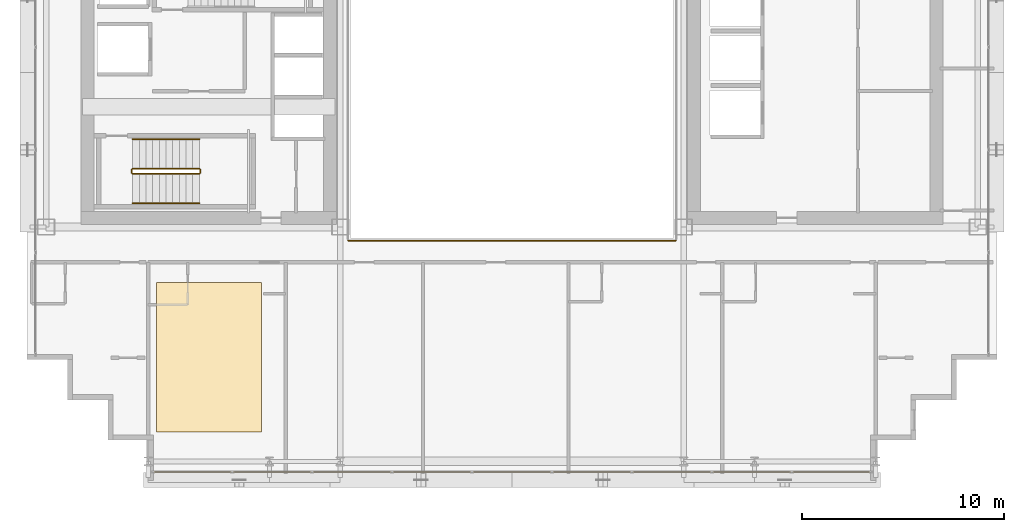
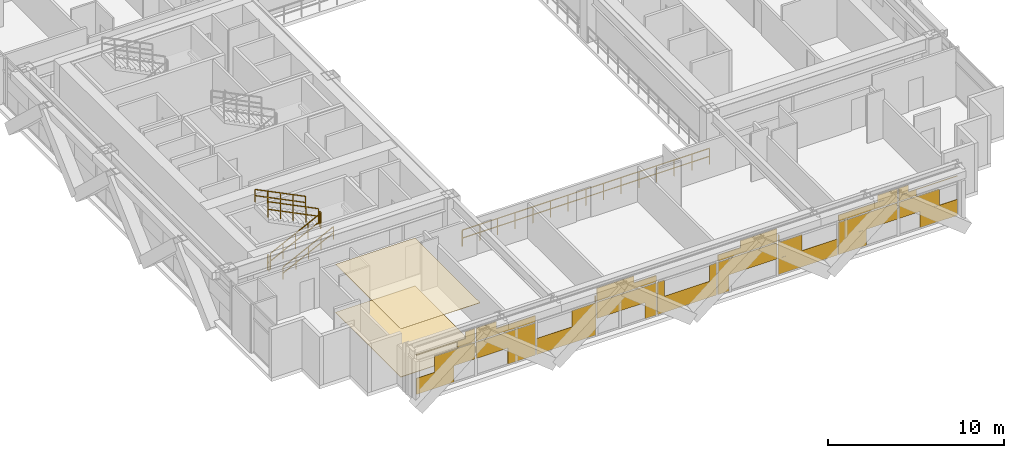
# One storey, part 32 of 35: 7 railings, 3 coverings.
"""IFC4 building model written with IfcOpenShell, lengths in metres."""

from ifc_helpers import new_model, si_unit, direction, frame, origin, origin_2d, place, context, subcontext, project, spatial, polyline, rectangle, outline, extrude, material, layer, layer_set, type_object, element, save


model = new_model("IFC4")

# Units and contexts
model_context = context("Model", 3, precision=1e-05, world=origin(), true_north=direction((0.0, 1.0)))
body_context = subcontext(model_context, "Body", "Model", "MODEL_VIEW")
ifc_project = project(units=[si_unit("LENGTHUNIT", "METRE"), si_unit("AREAUNIT", "SQUARE_METRE"), si_unit("VOLUMEUNIT", "CUBIC_METRE"), si_unit("PLANEANGLEUNIT", "RADIAN"), si_unit("MASSUNIT", "GRAM", prefix="KILO")], contexts=[model_context])

# Site, building, storey
site_placement = place(None, origin())
site = spatial("IfcSite", under=ifc_project, at=site_placement, CompositionType="ELEMENT")
building_placement = place(site_placement, origin())
building = spatial("IfcBuilding", under=site, at=building_placement, Name="Ocotamira Hotel", CompositionType="ELEMENT")
storey_placement = place(building_placement, frame((0.0, 0.0, 140.39990234375)))
storey = spatial("IfcBuildingStorey", under=building, at=storey_placement, Name="L35", CompositionType="ELEMENT", Elevation=140.39990234375)

# Coverings
ifc_material_1 = material(Name="Perforated acoustic gypsum ceiling board", Category="gypsum")
ifc_layer_1 = layer(ifc_material_1, 0.02490234375)
ifc_layer_set_1 = layer_set([ifc_layer_1], Name="Perforated acoustic gypsum ceiling board")
covering_type_1 = type_object("IfcCoveringType", Name="COV-CEIL-25", PredefinedType="CEILING", material=ifc_layer_set_1)
covering_1_placement = place(storey_placement, frame((0.0, 0.0, 3.335205078125)))
element("IfcCovering", 1, at=covering_1_placement, inside=storey, type_object=covering_type_1, Name="L35 Acoustic Ceiling", PredefinedType="CEILING", context=body_context, shape_type="SweptSolid", body=[
    extrude(outline(polyline([(14.39990234375, 4.39990234375), (19.60009765625, 4.39990234375), (19.60009765625, 11.800048828125), (14.39990234375, 11.800048828125), (14.39990234375, 4.39990234375)])), origin(), (0.0, 0.0, 1.0), 0.02490234375),
])
ifc_material_2 = material(Name="Honed desert travertine stone flooring", Category="masonry")
ifc_layer_2 = layer(ifc_material_2, 0.030029296875)
ifc_layer_set_2 = layer_set([ifc_layer_2], Name="Honed desert travertine stone flooring")
covering_type_2 = type_object("IfcCoveringType", Name="COV-FLOR-30", PredefinedType="FLOORING", material=ifc_layer_set_2)
covering_2_placement = place(storey_placement, origin())
element("IfcCovering", 2, at=covering_2_placement, inside=storey, type_object=covering_type_2, Name="L35 Honed Stone Floor Finish", PredefinedType="FLOORING", context=body_context, shape_type="SweptSolid", body=[
    extrude(outline(polyline([(14.39990234375, 4.39990234375), (19.60009765625, 4.39990234375), (19.60009765625, 11.800048828125), (14.39990234375, 11.800048828125), (14.39990234375, 4.39990234375)])), origin(), (0.0, 0.0, 1.0), 0.030029296875),
])
ifc_material_3 = material(Name="Insulated pale-metal aluminium spandrel panel", Category="aluminium")
ifc_layer_3 = layer(ifc_material_3, 0.044921875)
ifc_layer_set_3 = layer_set([ifc_layer_3], Name="Insulated pale-metal aluminium spandrel panel")
covering_type_3 = type_object("IfcCoveringType", Name="COV-INFILL-45", PredefinedType="CLADDING", material=ifc_layer_set_3)
covering_3_placement = place(storey_placement, origin())
element("IfcCovering", 3, at=covering_3_placement, inside=storey, type_object=covering_type_3, Name="L35 Curtain Wall Infill CW-3 CW-L35-S1", PredefinedType="CLADDING", context=body_context, shape_type="SweptSolid", body=[
    extrude(rectangle(XDim=2.464111328125, YDim=0.044921875, at=origin_2d()), frame((15.512451171875, 2.419921875, 0.07568359375), z_axis=(0.0, 0.0, 1.0), x_axis=(1.0, 0.0, 0.0)), (0.0, 0.0, 1.0), 1.117919921875),
    extrude(rectangle(XDim=2.650146484375, YDim=0.044921875, at=origin_2d()), frame((16.7900390625, 2.419921875, 1.1943359375), z_axis=(0.0, 0.0, 1.0), x_axis=(1.0, 0.0, 0.0)), (0.0, 0.0, 1.0), 1.117919921875),
    extrude(rectangle(XDim=3.834716796875, YDim=0.044921875, at=origin_2d()), frame((16.19775390625, 2.419921875, 2.78271484375), z_axis=(0.0, 0.0, 1.0), x_axis=(1.0, 0.0, 0.0)), (0.0, 0.0, 1.0), 0.0302734375),
    extrude(rectangle(XDim=1.157958984375, YDim=0.044921875, at=origin_2d()), frame((17.5361328125, 2.419921875, 2.38818359375), z_axis=(0.0, 0.0, 1.0), x_axis=(1.0, 0.0, 0.0)), (0.0, 0.0, 1.0), 0.3935546875),
    extrude(rectangle(XDim=0.625732421875, YDim=0.044921875, at=origin_2d()), frame((17.80224609375, 2.419921875, 2.81396484375), z_axis=(0.0, 0.0, 1.0), x_axis=(1.0, 0.0, 0.0)), (0.0, 0.0, 1.0), 0.470703125),
    extrude(rectangle(XDim=3.87451171875, YDim=0.044921875, at=origin_2d()), frame((20.13330078125, 2.419921875, 1.1943359375), z_axis=(0.0, 0.0, 1.0), x_axis=(1.0, 0.0, 0.0)), (0.0, 0.0, 1.0), 1.117919921875),
    extrude(rectangle(XDim=1.815185546875, YDim=0.044921875, at=origin_2d()), frame((21.1630859375, 2.419921875, 0.07568359375), z_axis=(0.0, 0.0, 1.0), x_axis=(1.0, 0.0, 0.0)), (0.0, 0.0, 1.0), 1.117919921875),
    extrude(rectangle(XDim=3.87451171875, YDim=0.044921875, at=origin_2d()), frame((20.13330078125, 2.419921875, 2.38818359375), z_axis=(0.0, 0.0, 1.0), x_axis=(1.0, 0.0, 0.0)), (0.0, 0.0, 1.0), 0.4248046875),
    extrude(rectangle(XDim=1.314697265625, YDim=0.044921875, at=origin_2d()), frame((18.853515625, 2.419921875, 2.81396484375), z_axis=(0.0, 0.0, 1.0), x_axis=(1.0, 0.0, 0.0)), (0.0, 0.0, 1.0), 0.470703125),
    extrude(rectangle(XDim=3.87451171875, YDim=0.044921875, at=origin_2d()), frame((24.0888671875, 2.419921875, 0.07568359375), z_axis=(0.0, 0.0, 1.0), x_axis=(1.0, 0.0, 0.0)), (0.0, 0.0, 1.0), 1.117919921875),
    extrude(rectangle(XDim=1.561279296875, YDim=0.044921875, at=origin_2d()), frame((25.24560546875, 2.419921875, 1.1943359375), z_axis=(0.0, 0.0, 1.0), x_axis=(1.0, 0.0, 0.0)), (0.0, 0.0, 1.0), 1.117919921875),
    extrude(rectangle(XDim=0.069091796875, YDim=0.044921875, at=origin_2d()), frame((25.99169921875, 2.419921875, 2.38818359375), z_axis=(0.0, 0.0, 1.0), x_axis=(1.0, 0.0, 0.0)), (0.0, 0.0, 1.0), 0.4248046875),
    extrude(rectangle(XDim=3.87451171875, YDim=0.044921875, at=origin_2d()), frame((28.04443359375, 2.419921875, 1.1943359375), z_axis=(0.0, 0.0, 1.0), x_axis=(1.0, 0.0, 0.0)), (0.0, 0.0, 1.0), 1.117919921875),
    extrude(rectangle(XDim=0.726318359375, YDim=0.044921875, at=origin_2d()), frame((29.61865234375, 2.419921875, 0.07568359375), z_axis=(0.0, 0.0, 1.0), x_axis=(1.0, 0.0, 0.0)), (0.0, 0.0, 1.0), 1.117919921875),
    extrude(rectangle(XDim=3.87451171875, YDim=0.044921875, at=origin_2d()), frame((28.04443359375, 2.419921875, 2.38818359375), z_axis=(0.0, 0.0, 1.0), x_axis=(1.0, 0.0, 0.0)), (0.0, 0.0, 1.0), 0.4248046875),
    extrude(rectangle(XDim=2.403564453125, YDim=0.044921875, at=origin_2d()), frame((27.308837890625, 2.419921875, 2.81396484375), z_axis=(0.0, 0.0, 1.0), x_axis=(1.0, 0.0, 0.0)), (0.0, 0.0, 1.0), 0.470703125),
    extrude(rectangle(XDim=3.87451171875, YDim=0.044921875, at=origin_2d()), frame((32.0, 2.419921875, 0.07568359375), z_axis=(0.0, 0.0, 1.0), x_axis=(1.0, 0.0, 0.0)), (0.0, 0.0, 1.0), 1.117919921875),
    extrude(rectangle(XDim=0.472412109375, YDim=0.044921875, at=origin_2d()), frame((30.298828125, 2.419921875, 1.1943359375), z_axis=(0.0, 0.0, 1.0), x_axis=(1.0, 0.0, 0.0)), (0.0, 0.0, 1.0), 1.117919921875),
    extrude(rectangle(XDim=0.472412109375, YDim=0.044921875, at=origin_2d()), frame((33.701171875, 2.419921875, 1.1943359375), z_axis=(0.0, 0.0, 1.0), x_axis=(1.0, 0.0, 0.0)), (0.0, 0.0, 1.0), 1.117919921875),
    extrude(rectangle(XDim=0.726318359375, YDim=0.044921875, at=origin_2d()), frame((34.38134765625, 2.419921875, 0.07568359375), z_axis=(0.0, 0.0, 1.0), x_axis=(1.0, 0.0, 0.0)), (0.0, 0.0, 1.0), 1.117919921875),
    extrude(rectangle(XDim=3.87451171875, YDim=0.044921875, at=origin_2d()), frame((35.95556640625, 2.419921875, 1.1943359375), z_axis=(0.0, 0.0, 1.0), x_axis=(1.0, 0.0, 0.0)), (0.0, 0.0, 1.0), 1.117919921875),
    extrude(rectangle(XDim=3.87451171875, YDim=0.044921875, at=origin_2d()), frame((35.95556640625, 2.419921875, 2.38818359375), z_axis=(0.0, 0.0, 1.0), x_axis=(1.0, 0.0, 0.0)), (0.0, 0.0, 1.0), 0.4248046875),
    extrude(rectangle(XDim=2.403564453125, YDim=0.044921875, at=origin_2d()), frame((36.691162109375, 2.419921875, 2.81396484375), z_axis=(0.0, 0.0, 1.0), x_axis=(1.0, 0.0, 0.0)), (0.0, 0.0, 1.0), 0.470703125),
    extrude(rectangle(XDim=3.87451171875, YDim=0.044921875, at=origin_2d()), frame((39.9111328125, 2.419921875, 0.07568359375), z_axis=(0.0, 0.0, 1.0), x_axis=(1.0, 0.0, 0.0)), (0.0, 0.0, 1.0), 1.117919921875),
    extrude(rectangle(XDim=1.561279296875, YDim=0.044921875, at=origin_2d()), frame((38.75439453125, 2.419921875, 1.1943359375), z_axis=(0.0, 0.0, 1.0), x_axis=(1.0, 0.0, 0.0)), (0.0, 0.0, 1.0), 1.117919921875),
    extrude(rectangle(XDim=0.069091796875, YDim=0.044921875, at=origin_2d()), frame((38.00830078125, 2.419921875, 2.38818359375), z_axis=(0.0, 0.0, 1.0), x_axis=(1.0, 0.0, 0.0)), (0.0, 0.0, 1.0), 0.4248046875),
    extrude(rectangle(XDim=1.815185546875, YDim=0.044921875, at=origin_2d()), frame((42.8369140625, 2.419921875, 0.07568359375), z_axis=(0.0, 0.0, 1.0), x_axis=(1.0, 0.0, 0.0)), (0.0, 0.0, 1.0), 1.117919921875),
    extrude(rectangle(XDim=3.87451171875, YDim=0.044921875, at=origin_2d()), frame((43.86669921875, 2.419921875, 1.1943359375), z_axis=(0.0, 0.0, 1.0), x_axis=(1.0, 0.0, 0.0)), (0.0, 0.0, 1.0), 1.117919921875),
    extrude(rectangle(XDim=3.87451171875, YDim=0.044921875, at=origin_2d()), frame((43.86669921875, 2.419921875, 2.38818359375), z_axis=(0.0, 0.0, 1.0), x_axis=(1.0, 0.0, 0.0)), (0.0, 0.0, 1.0), 0.4248046875),
    extrude(rectangle(XDim=1.314697265625, YDim=0.044921875, at=origin_2d()), frame((45.146484375, 2.419921875, 2.81396484375), z_axis=(0.0, 0.0, 1.0), x_axis=(1.0, 0.0, 0.0)), (0.0, 0.0, 1.0), 0.470703125),
    extrude(rectangle(XDim=2.650146484375, YDim=0.044921875, at=origin_2d()), frame((47.2099609375, 2.419921875, 1.1943359375), z_axis=(0.0, 0.0, 1.0), x_axis=(1.0, 0.0, 0.0)), (0.0, 0.0, 1.0), 1.117919921875),
    extrude(rectangle(XDim=2.464111328125, YDim=0.044921875, at=origin_2d()), frame((48.487548828125, 2.419921875, 0.07568359375), z_axis=(0.0, 0.0, 1.0), x_axis=(1.0, 0.0, 0.0)), (0.0, 0.0, 1.0), 1.117919921875),
    extrude(rectangle(XDim=1.157958984375, YDim=0.044921875, at=origin_2d()), frame((46.4638671875, 2.419921875, 2.38818359375), z_axis=(0.0, 0.0, 1.0), x_axis=(1.0, 0.0, 0.0)), (0.0, 0.0, 1.0), 0.3935546875),
    extrude(rectangle(XDim=3.834716796875, YDim=0.044921875, at=origin_2d()), frame((47.80224609375, 2.419921875, 2.78271484375), z_axis=(0.0, 0.0, 1.0), x_axis=(1.0, 0.0, 0.0)), (0.0, 0.0, 1.0), 0.0302734375),
    extrude(rectangle(XDim=0.625732421875, YDim=0.044921875, at=origin_2d()), frame((46.19775390625, 2.419921875, 2.81396484375), z_axis=(0.0, 0.0, 1.0), x_axis=(1.0, 0.0, 0.0)), (0.0, 0.0, 1.0), 0.470703125),
])

# Railings
ifc_material_4 = material(Name="Painted steel stair guardrail", Category="steel")
railing_type_1 = type_object("IfcRailingType", Name="RL-EDGE-1150", PredefinedType="GUARDRAIL", material=ifc_material_4)
railing_1_placement = place(storey_placement, frame((23.89990234375, 13.8798828125, 0.0)))
element("IfcRailing", 4, at=railing_1_placement, inside=storey, type_object=railing_type_1, Name="L35 Central Atrium Edge Guardrail S", PredefinedType="GUARDRAIL", context=body_context, shape_type="SweptSolid", body=[
    extrude(rectangle(XDim=0.048095703125, YDim=0.048095703125, at=origin_2d()), frame((0.0, 0.0, 1.1259765625), z_axis=(1.0, 0.0, 0.0), x_axis=(0.0, 1.0, 0.0)), (0.0, 0.0, 1.0), 16.2001953125),
    extrude(rectangle(XDim=0.048095703125, YDim=0.048095703125, at=origin_2d()), frame((0.0, 0.0, 0.574951171875), z_axis=(1.0, 0.0, 0.0), x_axis=(0.0, 1.0, 0.0)), (0.0, 0.0, 1.0), 16.2001953125),
    extrude(rectangle(XDim=0.0419921875, YDim=0.0419921875, at=origin_2d()), origin(), (0.0, 0.0, 1.0), 1.101806640625),
    extrude(rectangle(XDim=0.0419921875, YDim=0.0419921875, at=origin_2d()), frame((1.1572265625, 0.0, 0.0)), (0.0, 0.0, 1.0), 1.101806640625),
    extrude(rectangle(XDim=0.0419921875, YDim=0.0419921875, at=origin_2d()), frame((2.314208984375, 0.0, 0.0)), (0.0, 0.0, 1.0), 1.101806640625),
    extrude(rectangle(XDim=0.0419921875, YDim=0.0419921875, at=origin_2d()), frame((3.471435546875, 0.0, 0.0)), (0.0, 0.0, 1.0), 1.101806640625),
    extrude(rectangle(XDim=0.0419921875, YDim=0.0419921875, at=origin_2d()), frame((4.628662109375, 0.0, 0.0)), (0.0, 0.0, 1.0), 1.101806640625),
    extrude(rectangle(XDim=0.0419921875, YDim=0.0419921875, at=origin_2d()), frame((5.785888671875, 0.0, 0.0)), (0.0, 0.0, 1.0), 1.101806640625),
    extrude(rectangle(XDim=0.0419921875, YDim=0.0419921875, at=origin_2d()), frame((6.94287109375, 0.0, 0.0)), (0.0, 0.0, 1.0), 1.101806640625),
    extrude(rectangle(XDim=0.0419921875, YDim=0.0419921875, at=origin_2d()), frame((8.10009765625, 0.0, 0.0)), (0.0, 0.0, 1.0), 1.101806640625),
    extrude(rectangle(XDim=0.0419921875, YDim=0.0419921875, at=origin_2d()), frame((9.25732421875, 0.0, 0.0)), (0.0, 0.0, 1.0), 1.101806640625),
    extrude(rectangle(XDim=0.0419921875, YDim=0.0419921875, at=origin_2d()), frame((10.414306640625, 0.0, 0.0)), (0.0, 0.0, 1.0), 1.101806640625),
    extrude(rectangle(XDim=0.0419921875, YDim=0.0419921875, at=origin_2d()), frame((11.571533203125, 0.0, 0.0)), (0.0, 0.0, 1.0), 1.101806640625),
    extrude(rectangle(XDim=0.0419921875, YDim=0.0419921875, at=origin_2d()), frame((12.728759765625, 0.0, 0.0)), (0.0, 0.0, 1.0), 1.101806640625),
    extrude(rectangle(XDim=0.0419921875, YDim=0.0419921875, at=origin_2d()), frame((13.885986328125, 0.0, 0.0)), (0.0, 0.0, 1.0), 1.101806640625),
    extrude(rectangle(XDim=0.0419921875, YDim=0.0419921875, at=origin_2d()), frame((15.04296875, 0.0, 0.0)), (0.0, 0.0, 1.0), 1.101806640625),
    extrude(rectangle(XDim=0.0419921875, YDim=0.0419921875, at=origin_2d()), frame((16.2001953125, 0.0, 0.0)), (0.0, 0.0, 1.0), 1.101806640625),
])
ifc_material_5 = material(Name="Brushed stainless steel handrail", Category="steel")
railing_type_2 = type_object("IfcRailingType", Name="RL-HAND-900", PredefinedType="HANDRAIL", material=ifc_material_5)
railing_2_placement = place(storey_placement, frame((13.22998046875, 15.719970703125, 0.327392578125)))
element("IfcRailing", 5, at=railing_2_placement, inside=storey, type_object=railing_type_2, Name="L35 ST-1 stair handrail 1", PredefinedType="HANDRAIL", context=body_context, shape_type="SweptSolid", body=[
    extrude(rectangle(XDim=0.048095703125, YDim=0.048095703125, at=origin_2d()), frame((0.0, 0.0, 0.8759765625), z_axis=(0.895920123917, 0.0, 0.444215186098), x_axis=(0.0, 1.0, 0.0)), (0.0, 0.0, 1.0), 3.683349609375),
    extrude(rectangle(XDim=0.048095703125, YDim=0.048095703125, at=origin_2d()), frame((0.0, 0.0, 0.449951171875), z_axis=(0.895920123917, 0.0, 0.444215186098), x_axis=(0.0, 1.0, 0.0)), (0.0, 0.0, 1.0), 3.683349609375),
    extrude(rectangle(XDim=0.0419921875, YDim=0.0419921875, at=origin_2d()), origin(), (0.0, 0.0, 1.0), 0.851806640625),
    extrude(rectangle(XDim=0.0419921875, YDim=0.0419921875, at=origin_2d()), frame((0.824951171875, 0.0, 0.4091796875)), (0.0, 0.0, 1.0), 0.851806640625),
    extrude(rectangle(XDim=0.0419921875, YDim=0.0419921875, at=origin_2d()), frame((1.64990234375, 0.0, 0.818115234375)), (0.0, 0.0, 1.0), 0.851806640625),
    extrude(rectangle(XDim=0.0419921875, YDim=0.0419921875, at=origin_2d()), frame((2.47509765625, 0.0, 1.22705078125)), (0.0, 0.0, 1.0), 0.851806640625),
    extrude(rectangle(XDim=0.0419921875, YDim=0.0419921875, at=origin_2d()), frame((3.300048828125, 0.0, 1.63623046875)), (0.0, 0.0, 1.0), 0.851806640625),
])
railing_3_placement = place(storey_placement, frame((16.530029296875, 18.89990234375, 2.12744140625)))
element("IfcRailing", 6, at=railing_3_placement, inside=storey, type_object=railing_type_2, Name="L35 ST-1 stair handrail 2", PredefinedType="HANDRAIL", context=body_context, shape_type="SweptSolid", body=[
    extrude(rectangle(XDim=0.048095703125, YDim=0.048095703125, at=origin_2d()), frame((0.0, 0.0, 0.8759765625), z_axis=(-0.895920123917, 0.0, 0.444215186098), x_axis=(0.0, -1.0, 0.0)), (0.0, 0.0, 1.0), 3.683349609375),
    extrude(rectangle(XDim=0.048095703125, YDim=0.048095703125, at=origin_2d()), frame((0.0, 0.0, 0.449951171875), z_axis=(-0.895920123917, 0.0, 0.444215186098), x_axis=(0.0, -1.0, 0.0)), (0.0, 0.0, 1.0), 3.683349609375),
    extrude(rectangle(XDim=0.0419921875, YDim=0.0419921875, at=origin_2d()), origin(), (0.0, 0.0, 1.0), 0.851806640625),
    extrude(rectangle(XDim=0.0419921875, YDim=0.0419921875, at=origin_2d()), frame((-0.824951171875, 0.0, 0.4091796875)), (0.0, 0.0, 1.0), 0.851806640625),
    extrude(rectangle(XDim=0.0419921875, YDim=0.0419921875, at=origin_2d()), frame((-1.64990234375, 0.0, 0.818115234375)), (0.0, 0.0, 1.0), 0.851806640625),
    extrude(rectangle(XDim=0.0419921875, YDim=0.0419921875, at=origin_2d()), frame((-2.47509765625, 0.0, 1.22705078125)), (0.0, 0.0, 1.0), 0.851806640625),
    extrude(rectangle(XDim=0.0419921875, YDim=0.0419921875, at=origin_2d()), frame((-3.300048828125, 0.0, 1.63623046875)), (0.0, 0.0, 1.0), 0.851806640625),
])
railing_type_3 = type_object("IfcRailingType", Name="RL-STAIR-1100", PredefinedType="GUARDRAIL", material=ifc_material_4)
railing_4_placement = place(storey_placement, frame((13.22998046875, 17.179931640625, 0.163818359375)))
element("IfcRailing", 7, at=railing_4_placement, inside=storey, type_object=railing_type_3, Name="L35 ST-1 stair guard 1", PredefinedType="GUARDRAIL", context=body_context, shape_type="SweptSolid", body=[
    extrude(rectangle(XDim=0.048095703125, YDim=0.048095703125, at=origin_2d()), frame((0.0, 0.0, 1.076171875), z_axis=(0.895920123917, 0.0, 0.444215186098), x_axis=(0.0, 1.0, 0.0)), (0.0, 0.0, 1.0), 3.683349609375),
    extrude(rectangle(XDim=0.048095703125, YDim=0.048095703125, at=origin_2d()), frame((0.0, 0.0, 0.550048828125), z_axis=(0.895920123917, 0.0, 0.444215186098), x_axis=(0.0, 1.0, 0.0)), (0.0, 0.0, 1.0), 3.683349609375),
    extrude(rectangle(XDim=0.0419921875, YDim=0.0419921875, at=origin_2d()), origin(), (0.0, 0.0, 1.0), 1.052001953125),
    extrude(rectangle(XDim=0.0419921875, YDim=0.0419921875, at=origin_2d()), frame((0.824951171875, 0.0, 0.4091796875)), (0.0, 0.0, 1.0), 1.052001953125),
    extrude(rectangle(XDim=0.0419921875, YDim=0.0419921875, at=origin_2d()), frame((1.64990234375, 0.0, 0.818115234375)), (0.0, 0.0, 1.0), 1.052001953125),
    extrude(rectangle(XDim=0.0419921875, YDim=0.0419921875, at=origin_2d()), frame((2.47509765625, 0.0, 1.22705078125)), (0.0, 0.0, 1.0), 1.052001953125),
    extrude(rectangle(XDim=0.0419921875, YDim=0.0419921875, at=origin_2d()), frame((3.300048828125, 0.0, 1.63623046875)), (0.0, 0.0, 1.0), 1.052001953125),
])
railing_5_placement = place(storey_placement, frame((16.580078125, 17.22998046875, 1.800048828125)))
element("IfcRailing", 8, at=railing_5_placement, inside=storey, type_object=railing_type_3, Name="L35 ST-1 stair guard 2", PredefinedType="GUARDRAIL", context=body_context, shape_type="SweptSolid", body=[
    extrude(rectangle(XDim=0.048095703125, YDim=0.048095703125, at=origin_2d()), frame((0.0, 0.0, 1.076171875), z_axis=(0.0, 1.0, 0.0), x_axis=(-1.0, 0.0, 0.0)), (0.0, 0.0, 1.0), 0.159912109375),
    extrude(rectangle(XDim=0.048095703125, YDim=0.048095703125, at=origin_2d()), frame((0.0, 0.0, 0.550048828125), z_axis=(0.0, 1.0, 0.0), x_axis=(-1.0, 0.0, 0.0)), (0.0, 0.0, 1.0), 0.159912109375),
    extrude(rectangle(XDim=0.0419921875, YDim=0.0419921875, at=origin_2d()), origin(), (0.0, 0.0, 1.0), 1.052001953125),
    extrude(rectangle(XDim=0.0419921875, YDim=0.0419921875, at=origin_2d()), frame((0.0, 0.159912109375, 0.0)), (0.0, 0.0, 1.0), 1.052001953125),
])
railing_6_placement = place(storey_placement, frame((16.530029296875, 17.43994140625, 1.963623046875)))
element("IfcRailing", 9, at=railing_6_placement, inside=storey, type_object=railing_type_3, Name="L35 ST-1 stair guard 3", PredefinedType="GUARDRAIL", context=body_context, shape_type="SweptSolid", body=[
    extrude(rectangle(XDim=0.048095703125, YDim=0.048095703125, at=origin_2d()), frame((0.0, 0.0, 1.076171875), z_axis=(-0.895893744519, 0.0, 0.4442683857), x_axis=(0.0, -1.0, 0.0)), (0.0, 0.0, 1.0), 3.68359375),
    extrude(rectangle(XDim=0.048095703125, YDim=0.048095703125, at=origin_2d()), frame((0.0, 0.0, 0.550048828125), z_axis=(-0.895893744519, 0.0, 0.4442683857), x_axis=(0.0, -1.0, 0.0)), (0.0, 0.0, 1.0), 3.68359375),
    extrude(rectangle(XDim=0.0419921875, YDim=0.0419921875, at=origin_2d()), origin(), (0.0, 0.0, 1.0), 1.052001953125),
    extrude(rectangle(XDim=0.0419921875, YDim=0.0419921875, at=origin_2d()), frame((-0.824951171875, 0.0, 0.4091796875)), (0.0, 0.0, 1.0), 1.052001953125),
    extrude(rectangle(XDim=0.0419921875, YDim=0.0419921875, at=origin_2d()), frame((-1.64990234375, 0.0, 0.818359375)), (0.0, 0.0, 1.0), 1.052001953125),
    extrude(rectangle(XDim=0.0419921875, YDim=0.0419921875, at=origin_2d()), frame((-2.47509765625, 0.0, 1.227294921875)), (0.0, 0.0, 1.0), 1.052001953125),
    extrude(rectangle(XDim=0.0419921875, YDim=0.0419921875, at=origin_2d()), frame((-3.300048828125, 0.0, 1.636474609375)), (0.0, 0.0, 1.0), 1.052001953125),
])
railing_7_placement = place(storey_placement, frame((13.179931640625, 17.22998046875, 0.0)))
element("IfcRailing", 10, at=railing_7_placement, inside=storey, type_object=railing_type_3, Name="L35 ST-1 stair guard 4", PredefinedType="GUARDRAIL", context=body_context, shape_type="SweptSolid", body=[
    extrude(rectangle(XDim=0.048095703125, YDim=0.048095703125, at=origin_2d()), frame((0.0, 0.0, 1.076171875), z_axis=(0.0, 1.0, 0.0), x_axis=(-1.0, 0.0, 0.0)), (0.0, 0.0, 1.0), 0.159912109375),
    extrude(rectangle(XDim=0.048095703125, YDim=0.048095703125, at=origin_2d()), frame((0.0, 0.0, 0.550048828125), z_axis=(0.0, 1.0, 0.0), x_axis=(-1.0, 0.0, 0.0)), (0.0, 0.0, 1.0), 0.159912109375),
    extrude(rectangle(XDim=0.0419921875, YDim=0.0419921875, at=origin_2d()), origin(), (0.0, 0.0, 1.0), 1.052001953125),
    extrude(rectangle(XDim=0.0419921875, YDim=0.0419921875, at=origin_2d()), frame((0.0, 0.159912109375, 0.0)), (0.0, 0.0, 1.0), 1.052001953125),
])

save(model, "model.ifc")
